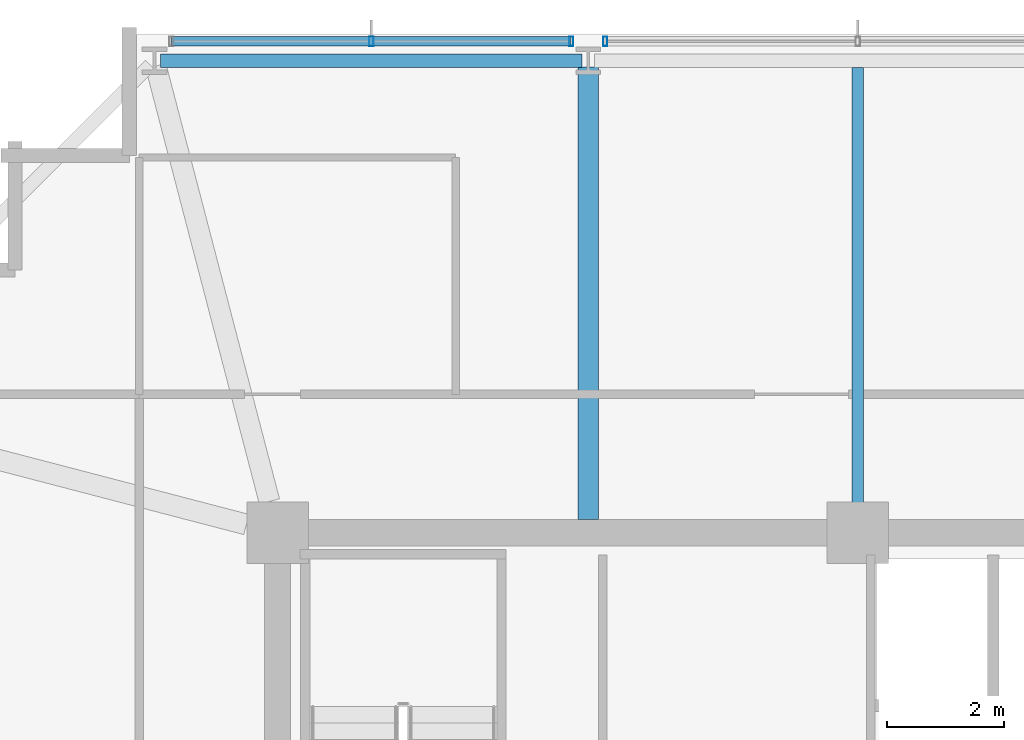
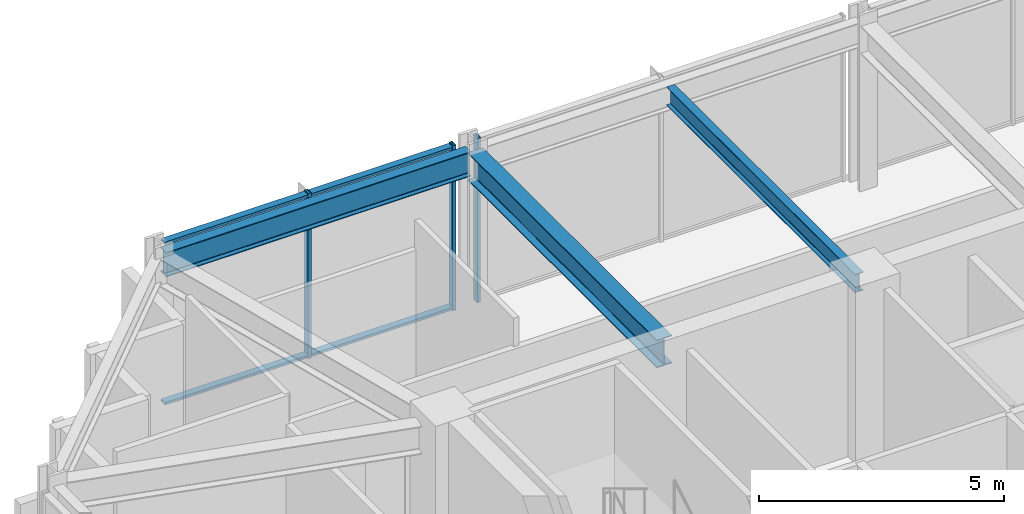
# One storey, part 15 of 26: 5 members, 3 beams, 2 elements without a shape of their own.
"""IFC4 building model written with IfcOpenShell, lengths in metres."""

from ifc_helpers import new_model, si_unit, direction, frame, origin, origin_2d, place, context, subcontext, project, spatial, hollow_rectangle, i_section, extrude, material, material_profile, profile_set, type_object, element, aggregate, save


model = new_model("IFC4")

# Units and contexts
model_context = context("Model", 3, precision=1e-05, world=origin(), true_north=direction((0.0, 1.0)))
body_context = subcontext(model_context, "Body", "Model", "MODEL_VIEW")
ifc_project = project(units=[si_unit("LENGTHUNIT", "METRE"), si_unit("AREAUNIT", "SQUARE_METRE"), si_unit("VOLUMEUNIT", "CUBIC_METRE"), si_unit("PLANEANGLEUNIT", "RADIAN"), si_unit("MASSUNIT", "GRAM", prefix="KILO")], contexts=[model_context])

# Site, building, storey
site_placement = place(None, origin())
site = spatial("IfcSite", under=ifc_project, at=site_placement, CompositionType="ELEMENT")
building_placement = place(site_placement, origin())
building = spatial("IfcBuilding", under=site, at=building_placement, Name="Kolvaren Belvedere", CompositionType="ELEMENT")
storey_placement = place(building_placement, frame((0.0, 0.0, 258.39990234375)))
storey = spatial("IfcBuildingStorey", under=building, at=storey_placement, Name="L75", CompositionType="ELEMENT", Elevation=258.39990234375)

# Beams
ifc_material_1 = material(Name="Structural steel ASTM A992 Grade 50", Category="steel")
ifc_material_profile_1 = material_profile(ifc_material_1, i_section(OverallWidth=0.35498046875, OverallDepth=0.696044921875, WebThickness=0.015380859375, FlangeThickness=0.02490234375, FilletRadius=0.02197265625, at=origin_2d()), Name="W27X146")
ifc_profile_set_1 = profile_set([ifc_material_profile_1], Name="Structural steel ASTM A992 Grade 50")
beam_type_1 = type_object("IfcBeamType", Name="BM-GIRD-W27X146", PredefinedType="BEAM", material=ifc_profile_set_1)
beam_1_placement = place(storey_placement, frame((-4.60009765625, 10.125, 3.772216796875), z_axis=(0.0, 1.0, 0.0), x_axis=(-1.0, 0.0, 0.0)))
element("IfcBeam", 1, at=beam_1_placement, inside=storey, type_object=beam_type_1, Name="L75 North Radial Girder M", PredefinedType="BEAM", context=body_context, shape_type="SweptSolid", body=[
    extrude(i_section(OverallWidth=0.35498046875, OverallDepth=0.696044921875, WebThickness=0.015380859375, FlangeThickness=0.02490234375, FilletRadius=0.02197265625, at=origin_2d()), origin(), (0.0, 0.0, 1.0), 7.720458984375),
])
ifc_material_2 = material(Name="Structural steel ASTM A992 Grade 50", Category="steel")
ifc_material_profile_2 = material_profile(ifc_material_2, i_section(OverallWidth=0.19091796875, OverallDepth=0.4599609375, WebThickness=0.010009765625, FlangeThickness=0.01611328125, FilletRadius=0.014892578125, at=origin_2d()), Name="W18X55")
ifc_profile_set_2 = profile_set([ifc_material_profile_2], Name="Structural steel ASTM A992 Grade 50")
beam_type_2 = type_object("IfcBeamType", Name="BM-JOIST-W18X55", PredefinedType="BEAM", material=ifc_profile_set_2)
beam_2_placement = place(storey_placement, frame((0.0, 10.125, 3.89013671875), z_axis=(0.0, 1.0, 0.0), x_axis=(-1.0, 0.0, 0.0)))
element("IfcBeam", 2, at=beam_2_placement, inside=storey, type_object=beam_type_2, Name="L75 North Centre Floor Beam", PredefinedType="BEAM", context=body_context, shape_type="SweptSolid", body=[
    extrude(i_section(OverallWidth=0.19091796875, OverallDepth=0.4599609375, WebThickness=0.010009765625, FlangeThickness=0.01611328125, FilletRadius=0.014892578125, at=origin_2d()), origin(), (0.0, 0.0, 1.0), 7.71044921875),
])
ifc_material_3 = material(Name="Structural steel ASTM A992 Grade 50", Category="steel")
ifc_material_profile_3 = material_profile(ifc_material_3, i_section(OverallWidth=0.22900390625, OverallDepth=0.612060546875, WebThickness=0.011962890625, FlangeThickness=0.01953125, FilletRadius=0.01806640625, at=origin_2d()), Name="W24X84")
ifc_profile_set_3 = profile_set([ifc_material_profile_3], Name="Structural steel ASTM A992 Grade 50")
beam_type_3 = type_object("IfcBeamType", Name="BM-SPAN-W24X84", PredefinedType="SPANDREL", material=ifc_profile_set_3)
beam_3_placement = place(storey_placement, frame((-4.70458984375, 17.949951171875, 3.814208984375), z_axis=(-1.0, 0.0, 0.0), x_axis=(0.0, -1.0, 0.0)))
element("IfcBeam", 3, at=beam_3_placement, inside=storey, type_object=beam_type_3, Name="L75 Perimeter Spandrel N2-N1", PredefinedType="SPANDREL", context=body_context, shape_type="SweptSolid", body=[
    extrude(i_section(OverallWidth=0.22900390625, OverallDepth=0.612060546875, WebThickness=0.011962890625, FlangeThickness=0.01953125, FilletRadius=0.01806640625, at=origin_2d()), origin(), (0.0, 0.0, 1.0), 7.19091796875),
])

# Curtain wall, members
ifc_material_4 = material(Name="Anodised pale-metal aluminium AA 6063-T6", Category="aluminium")
curtain_wall_type = type_object("IfcCurtainWallType", Name="CW-CRN-OBS", PredefinedType="NOTDEFINED", material=ifc_material_4)
curtain_wall_1_placement = place(storey_placement, origin())
curtain_wall_1 = element("IfcCurtainWall", 4, at=curtain_wall_1_placement, inside=storey, type_object=curtain_wall_type, Name="L75 Unitised Curtain Wall FCW-L75-N-B1", PredefinedType="NOTDEFINED")
ifc_material_5 = material(Name="Anodised pale-metal aluminium AA 6063-T6", Category="aluminium")
ifc_material_profile_4 = material_profile(ifc_material_5, hollow_rectangle(XDim=0.074951171875, YDim=0.159912109375, WallThickness=0.00439453125, at=origin_2d()), Name="ALU-MUL-160X75")
ifc_profile_set_4 = profile_set([ifc_material_profile_4], Name="Anodised pale-metal aluminium AA 6063-T6")
member_type_1 = type_object("IfcMemberType", Name="CW-MUL-160", PredefinedType="MULLION", material=ifc_profile_set_4)
member_1_placement = place(storey_placement, frame((-8.300048828125, 18.280029296875, 0.0), z_axis=(0.0, 0.0, 1.0), x_axis=(1.0, 0.0, 0.0)))
member_1 = element("IfcMember", 5, at=member_1_placement, type_object=member_type_1, Name="FCW-L75-N-B1 Unitised Mullion 2", PredefinedType="MULLION", context=body_context, shape_type="SweptSolid", body=[
    extrude(hollow_rectangle(XDim=0.074951171875, YDim=0.159912109375, WallThickness=0.00439453125, at=origin_2d()), origin(), (0.0, 0.0, 1.0), 4.1201171875),
])
member_2_placement = place(storey_placement, frame((-4.889892578125, 18.280029296875, 0.0), z_axis=(0.0, 0.0, 1.0), x_axis=(1.0, 0.0, 0.0)))
member_2 = element("IfcMember", 6, at=member_2_placement, type_object=member_type_1, Name="FCW-L75-N-B1 Unitised Mullion 3", PredefinedType="MULLION", context=body_context, shape_type="SweptSolid", body=[
    extrude(hollow_rectangle(XDim=0.074951171875, YDim=0.159912109375, WallThickness=0.00439453125, at=origin_2d()), origin(), (0.0, 0.0, 1.0), 4.1201171875),
])

# Curtain wall, member
curtain_wall_2_placement = place(storey_placement, origin())
curtain_wall_2 = element("IfcCurtainWall", 7, at=curtain_wall_2_placement, inside=storey, type_object=curtain_wall_type, Name="L75 Unitised Curtain Wall FCW-L75-N-B2", PredefinedType="NOTDEFINED")
member_3_placement = place(storey_placement, frame((-4.31005859375, 18.280029296875, 0.0), z_axis=(0.0, 0.0, 1.0), x_axis=(1.0, 0.0, 0.0)))
member_3 = element("IfcMember", 8, at=member_3_placement, type_object=member_type_1, Name="FCW-L75-N-B2 Unitised Mullion 1", PredefinedType="MULLION", context=body_context, shape_type="SweptSolid", body=[
    extrude(hollow_rectangle(XDim=0.074951171875, YDim=0.159912109375, WallThickness=0.00439453125, at=origin_2d()), origin(), (0.0, 0.0, 1.0), 4.1201171875),
])
aggregate(curtain_wall_2, [member_3])

# Member
ifc_material_6 = material(Name="Anodised pale-metal aluminium AA 6063-T6", Category="aluminium")
ifc_material_profile_5 = material_profile(ifc_material_6, hollow_rectangle(XDim=0.06494140625, YDim=0.159912109375, WallThickness=0.00390625, at=origin_2d()), Name="ALU-TRN-160X65")
ifc_profile_set_5 = profile_set([ifc_material_profile_5], Name="Anodised pale-metal aluminium AA 6063-T6")
member_type_2 = type_object("IfcMemberType", Name="CW-TRN-160", PredefinedType="USERDEFINED", material=ifc_profile_set_5)
member_4_placement = place(storey_placement, frame((-11.7099609375, 18.280029296875, 0.06005859375), z_axis=(1.0, 0.0, 0.0), x_axis=(0.0, 0.0, 1.0)))
member_4 = element("IfcMember", 9, at=member_4_placement, type_object=member_type_2, Name="FCW-L75-N-B1 Sill Transom", ObjectType="TRANSOM", PredefinedType="USERDEFINED", context=body_context, shape_type="SweptSolid", body=[
    extrude(hollow_rectangle(XDim=0.06494140625, YDim=0.159912109375, WallThickness=0.00390625, at=origin_2d()), origin(), (0.0, 0.0, 1.0), 6.820068359375),
])

member_5_placement = place(storey_placement, frame((-11.7099609375, 18.280029296875, 4.06005859375), z_axis=(1.0, 0.0, 0.0), x_axis=(0.0, 0.0, 1.0)))
member_5 = element("IfcMember", 10, at=member_5_placement, type_object=member_type_2, Name="FCW-L75-N-B1 Head Transom", ObjectType="TRANSOM", PredefinedType="USERDEFINED", context=body_context, shape_type="SweptSolid", body=[
    extrude(hollow_rectangle(XDim=0.06494140625, YDim=0.159912109375, WallThickness=0.00390625, at=origin_2d()), origin(), (0.0, 0.0, 1.0), 6.820068359375),
])

aggregate(curtain_wall_1, [member_1, member_2, member_4, member_5])

save(model, "model.ifc")
